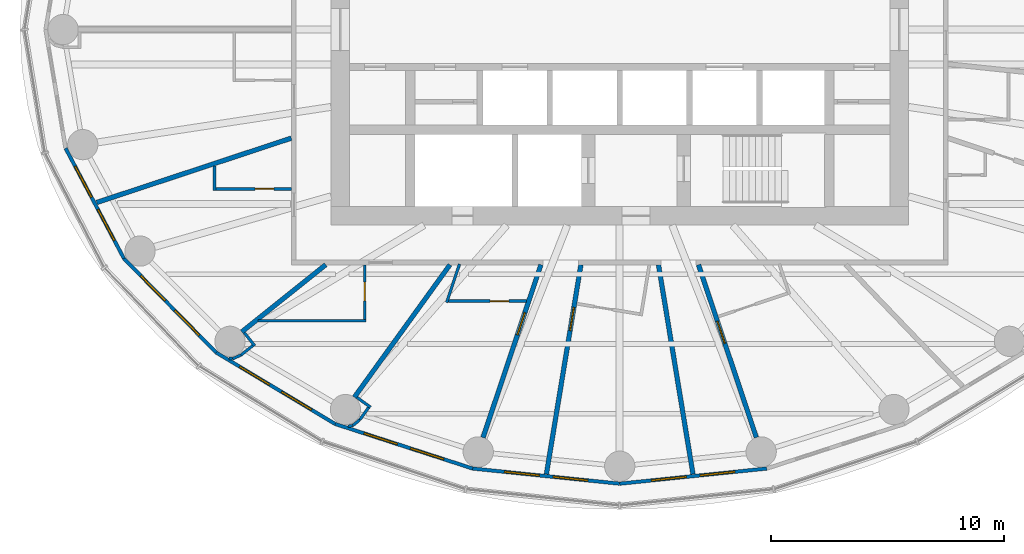
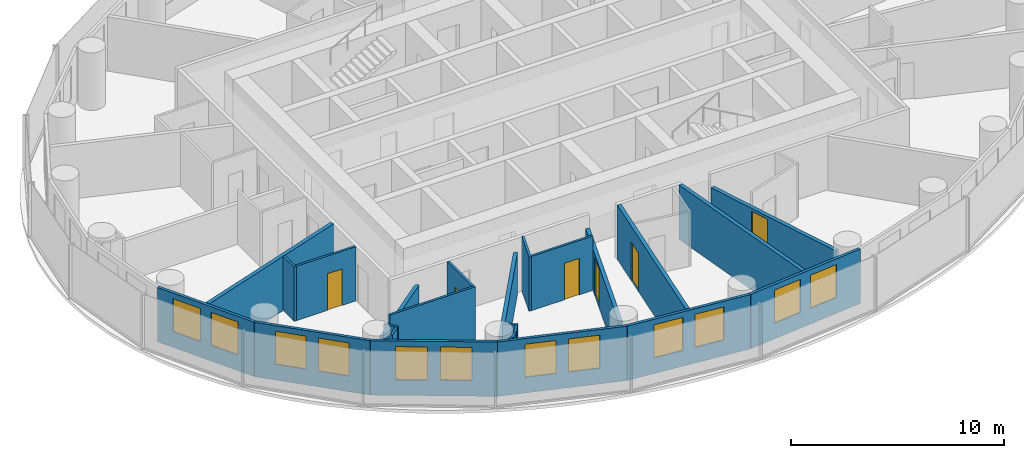
# One storey, part 6 of 13: 27 walls, 12 windows, 6 doors, 18 openings.
"""IFC4 building model written with IfcOpenShell, lengths in metres."""

from ifc_helpers import new_model, si_unit, direction, frame, frame_2d, origin, place, context, subcontext, project, spatial, rectangle, extrude, material, layer, layer_set, type_object, element, fill, save


model = new_model("IFC4")

# Units and contexts
model_context = context("Model", 3, precision=1e-05, world=origin(), true_north=direction((0.0, 1.0)))
body_context = subcontext(model_context, "Body", "Model", "MODEL_VIEW")
ifc_project = project(units=[si_unit("LENGTHUNIT", "METRE"), si_unit("AREAUNIT", "SQUARE_METRE"), si_unit("VOLUMEUNIT", "CUBIC_METRE"), si_unit("PLANEANGLEUNIT", "RADIAN"), si_unit("MASSUNIT", "GRAM", prefix="KILO")], contexts=[model_context])

# Site, building, storey
site_placement = place(None, origin())
site = spatial("IfcSite", under=ifc_project, at=site_placement, CompositionType="ELEMENT")
building_placement = place(site_placement, origin())
building = spatial("IfcBuilding", under=site, at=building_placement, Name="Hankou Lantern Tower", CompositionType="ELEMENT")
storey_placement = place(building_placement, frame((0.0, 0.0, 125.39990234375)))
storey = spatial("IfcBuildingStorey", under=building, at=storey_placement, Name="L32", CompositionType="ELEMENT", Elevation=125.39990234375)

# Wall, openings, windows
ifc_material_1 = material(Name="Aluminium spandrel panel on steel studs", Category="steel")
ifc_layer_1 = layer(ifc_material_1, 0.14990234375)
ifc_layer_set_1 = layer_set([ifc_layer_1], Name="Aluminium spandrel panel on steel studs")
wall_type_1 = type_object("IfcWallType", Name="EW1 INNER SKIN WALL 150", PredefinedType="ELEMENTEDWALL", material=ifc_layer_set_1)
wall_1_placement = place(storey_placement, frame((-23.7919921875, -5.10009765625, 0.0), z_axis=(0.0, 0.0, 1.0), x_axis=(0.467814388454, -0.883826735257, 0.0)))
wall_1 = element("IfcWall", 1, at=wall_1_placement, inside=storey, type_object=wall_type_1, Name="Inner skin R14-R15 L32", PredefinedType="ELEMENTEDWALL", context=body_context, shape_type="SweptSolid", body=[
    extrude(rectangle(XDim=5.35400390625, YDim=0.14990234375, at=frame_2d((2.677001953125, 0.0))), origin(), (0.0, 0.0, 1.0), 3.1201171875),
])
opening_1_placement = place(wall_1_placement, frame((0.876953125, 0.0, 0.89990234375)))
opening_1 = element("IfcOpeningElement", 2, at=opening_1_placement, cuts=wall_1, Name="Opening W2", PredefinedType="OPENING", context=body_context, shape_type="SweptSolid", body=[
    extrude(rectangle(XDim=1.5, YDim=1.89990234375, at=frame_2d((0.75, 0.949951171875))), frame((0.0, 0.0849609375, 0.0), z_axis=(0.0, -1.0, 0.0), x_axis=(1.0, 0.0, 0.0)), (0.0, 0.0, 1.0), 0.169921875),
])
opening_2_placement = place(wall_1_placement, frame((2.97705078125, 0.0, 0.89990234375)))
opening_2 = element("IfcOpeningElement", 3, at=opening_2_placement, cuts=wall_1, Name="Opening W2", PredefinedType="OPENING", context=body_context, shape_type="SweptSolid", body=[
    extrude(rectangle(XDim=1.5, YDim=1.89990234375, at=frame_2d((0.75, 0.949951171875))), frame((0.0, 0.0849609375, 0.0), z_axis=(0.0, -1.0, 0.0), x_axis=(1.0, 0.0, 0.0)), (0.0, 0.0, 1.0), 0.169921875),
])
ifc_material_2 = material(Name="Aluminium framed double glazed window", Category="aluminium")
window_type = type_object("IfcWindowType", Name="W2 GUEST ROOM WINDOW 1500X1900", PartitioningType="DOUBLE_PANEL_VERTICAL", PredefinedType="WINDOW", material=ifc_material_2)
window_1_placement = place(opening_1_placement, origin())
window_1 = element("IfcWindow", 4, at=window_1_placement, inside=storey, type_object=window_type, Name="Window R14.1 L32", OverallHeight=1.89990234375, OverallWidth=1.5, PartitioningType="SINGLE_PANEL", PredefinedType="WINDOW", context=body_context, shape_type="SweptSolid", body=[
    extrude(rectangle(XDim=1.5, YDim=1.89990234375, at=frame_2d((0.75, 0.949951171875))), frame((0.0, 0.030029296875, 0.0), z_axis=(0.0, -1.0, 0.0), x_axis=(1.0, 0.0, 0.0)), (0.0, 0.0, 1.0), 0.06005859375),
])
fill(opening_1, window_1)
window_2_placement = place(opening_2_placement, origin())
window_2 = element("IfcWindow", 5, at=window_2_placement, inside=storey, type_object=window_type, Name="Window R14.2 L32", OverallHeight=1.89990234375, OverallWidth=1.5, PartitioningType="SINGLE_PANEL", PredefinedType="WINDOW", context=body_context, shape_type="SweptSolid", body=[
    extrude(rectangle(XDim=1.5, YDim=1.89990234375, at=frame_2d((0.75, 0.949951171875))), frame((0.0, 0.030029296875, 0.0), z_axis=(0.0, -1.0, 0.0), x_axis=(1.0, 0.0, 0.0)), (0.0, 0.0, 1.0), 0.06005859375),
])
fill(opening_2, window_2)

wall_2_placement = place(storey_placement, frame((-21.287353515625, -9.83203125, 0.0), z_axis=(0.0, 0.0, 1.0), x_axis=(0.700136650834, -0.714008872605, 0.0)))
wall_2 = element("IfcWall", 6, at=wall_2_placement, inside=storey, type_object=wall_type_1, Name="Inner skin R15-R16 L32", PredefinedType="ELEMENTEDWALL", context=body_context, shape_type="SweptSolid", body=[
    extrude(rectangle(XDim=5.6494140625, YDim=0.14990234375, at=frame_2d((2.82470703125, 0.0))), origin(), (0.0, 0.0, 1.0), 3.1201171875),
])
opening_3_placement = place(wall_2_placement, frame((1.024658203125, 0.0, 0.89990234375)))
opening_3 = element("IfcOpeningElement", 7, at=opening_3_placement, cuts=wall_2, Name="Opening W2", PredefinedType="OPENING", context=body_context, shape_type="SweptSolid", body=[
    extrude(rectangle(XDim=1.5, YDim=1.89990234375, at=frame_2d((0.75, 0.949951171875))), frame((0.0, 0.0849609375, 0.0), z_axis=(0.0, -1.0, 0.0), x_axis=(1.0, 0.0, 0.0)), (0.0, 0.0, 1.0), 0.169921875),
])
opening_4_placement = place(wall_2_placement, frame((3.12451171875, 0.0, 0.89990234375)))
opening_4 = element("IfcOpeningElement", 8, at=opening_4_placement, cuts=wall_2, Name="Opening W2", PredefinedType="OPENING", context=body_context, shape_type="SweptSolid", body=[
    extrude(rectangle(XDim=1.5, YDim=1.89990234375, at=frame_2d((0.75, 0.949951171875))), frame((0.0, 0.0849609375, 0.0), z_axis=(0.0, -1.0, 0.0), x_axis=(1.0, 0.0, 0.0)), (0.0, 0.0, 1.0), 0.169921875),
])
window_3_placement = place(opening_3_placement, origin())
window_3 = element("IfcWindow", 9, at=window_3_placement, inside=storey, type_object=window_type, Name="Window R15.1 L32", OverallHeight=1.89990234375, OverallWidth=1.5, PartitioningType="SINGLE_PANEL", PredefinedType="WINDOW", context=body_context, shape_type="SweptSolid", body=[
    extrude(rectangle(XDim=1.5, YDim=1.89990234375, at=frame_2d((0.75, 0.949951171875))), frame((0.0, 0.030029296875, 0.0), z_axis=(0.0, -1.0, 0.0), x_axis=(1.0, 0.0, 0.0)), (0.0, 0.0, 1.0), 0.06005859375),
])
fill(opening_3, window_3)
window_4_placement = place(opening_4_placement, origin())
window_4 = element("IfcWindow", 10, at=window_4_placement, inside=storey, type_object=window_type, Name="Window R15.2 L32", OverallHeight=1.89990234375, OverallWidth=1.5, PartitioningType="SINGLE_PANEL", PredefinedType="WINDOW", context=body_context, shape_type="SweptSolid", body=[
    extrude(rectangle(XDim=1.5, YDim=1.89990234375, at=frame_2d((0.75, 0.949951171875))), frame((0.0, 0.030029296875, 0.0), z_axis=(0.0, -1.0, 0.0), x_axis=(1.0, 0.0, 0.0)), (0.0, 0.0, 1.0), 0.06005859375),
])
fill(opening_4, window_4)

wall_3_placement = place(storey_placement, frame((-17.33203125, -13.86572265625, 0.0), z_axis=(0.0, 0.0, 1.0), x_axis=(0.857308573723, -0.514802884044, 0.0)))
wall_3 = element("IfcWall", 11, at=wall_3_placement, inside=storey, type_object=wall_type_1, Name="Inner skin R16-R17 L32", PredefinedType="ELEMENTEDWALL", context=body_context, shape_type="SweptSolid", body=[
    extrude(rectangle(XDim=5.961181640625, YDim=0.14990234375, at=frame_2d((2.98046875, 0.0))), origin(), (0.0, 0.0, 1.0), 3.1201171875),
])
opening_5_placement = place(wall_3_placement, frame((1.1806640625, 0.0, 0.89990234375)))
opening_5 = element("IfcOpeningElement", 12, at=opening_5_placement, cuts=wall_3, Name="Opening W2", PredefinedType="OPENING", context=body_context, shape_type="SweptSolid", body=[
    extrude(rectangle(XDim=1.5, YDim=1.89990234375, at=frame_2d((0.75, 0.949951171875))), frame((0.0, 0.0849609375, 0.0), z_axis=(0.0, -1.0, 0.0), x_axis=(1.0, 0.0, 0.0)), (0.0, 0.0, 1.0), 0.169921875),
])
opening_6_placement = place(wall_3_placement, frame((3.280517578125, 0.0, 0.89990234375)))
opening_6 = element("IfcOpeningElement", 13, at=opening_6_placement, cuts=wall_3, Name="Opening W2", PredefinedType="OPENING", context=body_context, shape_type="SweptSolid", body=[
    extrude(rectangle(XDim=1.5, YDim=1.89990234375, at=frame_2d((0.75, 0.949951171875))), frame((0.0, 0.0849609375, 0.0), z_axis=(0.0, -1.0, 0.0), x_axis=(1.0, 0.0, 0.0)), (0.0, 0.0, 1.0), 0.169921875),
])
window_5_placement = place(opening_5_placement, origin())
window_5 = element("IfcWindow", 14, at=window_5_placement, inside=storey, type_object=window_type, Name="Window R16.1 L32", OverallHeight=1.89990234375, OverallWidth=1.5, PartitioningType="SINGLE_PANEL", PredefinedType="WINDOW", context=body_context, shape_type="SweptSolid", body=[
    extrude(rectangle(XDim=1.5, YDim=1.89990234375, at=frame_2d((0.75, 0.949951171875))), frame((0.0, 0.030029296875, 0.0), z_axis=(0.0, -1.0, 0.0), x_axis=(1.0, 0.0, 0.0)), (0.0, 0.0, 1.0), 0.06005859375),
])
fill(opening_5, window_5)
window_6_placement = place(opening_6_placement, origin())
window_6 = element("IfcWindow", 15, at=window_6_placement, inside=storey, type_object=window_type, Name="Window R16.2 L32", OverallHeight=1.89990234375, OverallWidth=1.5, PartitioningType="SINGLE_PANEL", PredefinedType="WINDOW", context=body_context, shape_type="SweptSolid", body=[
    extrude(rectangle(XDim=1.5, YDim=1.89990234375, at=frame_2d((0.75, 0.949951171875))), frame((0.0, 0.030029296875, 0.0), z_axis=(0.0, -1.0, 0.0), x_axis=(1.0, 0.0, 0.0)), (0.0, 0.0, 1.0), 0.06005859375),
])
fill(opening_6, window_6)

wall_4_placement = place(storey_placement, frame((-12.221435546875, -16.9345703125, 0.0), z_axis=(0.0, 0.0, 1.0), x_axis=(0.951272691506, -0.308350881944, 0.0)))
wall_4 = element("IfcWall", 16, at=wall_4_placement, inside=storey, type_object=wall_type_1, Name="Inner skin R17-R18 L32", PredefinedType="ELEMENTEDWALL", context=body_context, shape_type="SweptSolid", body=[
    extrude(rectangle(XDim=6.210693359375, YDim=0.14990234375, at=frame_2d((3.10546875, 0.0))), origin(), (0.0, 0.0, 1.0), 3.1201171875),
])
opening_7_placement = place(wall_4_placement, frame((1.305419921875, 0.0, 0.89990234375)))
opening_7 = element("IfcOpeningElement", 17, at=opening_7_placement, cuts=wall_4, Name="Opening W2", PredefinedType="OPENING", context=body_context, shape_type="SweptSolid", body=[
    extrude(rectangle(XDim=1.5, YDim=1.89990234375, at=frame_2d((0.75, 0.949951171875))), frame((0.0, 0.0849609375, 0.0), z_axis=(0.0, -1.0, 0.0), x_axis=(1.0, 0.0, 0.0)), (0.0, 0.0, 1.0), 0.169921875),
])
opening_8_placement = place(wall_4_placement, frame((3.4052734375, 0.0, 0.89990234375)))
opening_8 = element("IfcOpeningElement", 18, at=opening_8_placement, cuts=wall_4, Name="Opening W2", PredefinedType="OPENING", context=body_context, shape_type="SweptSolid", body=[
    extrude(rectangle(XDim=1.5, YDim=1.89990234375, at=frame_2d((0.75, 0.949951171875))), frame((0.0, 0.0849609375, 0.0), z_axis=(0.0, -1.0, 0.0), x_axis=(1.0, 0.0, 0.0)), (0.0, 0.0, 1.0), 0.169921875),
])
window_7_placement = place(opening_7_placement, origin())
window_7 = element("IfcWindow", 19, at=window_7_placement, inside=storey, type_object=window_type, Name="Window R17.1 L32", OverallHeight=1.89990234375, OverallWidth=1.5, PartitioningType="SINGLE_PANEL", PredefinedType="WINDOW", context=body_context, shape_type="SweptSolid", body=[
    extrude(rectangle(XDim=1.5, YDim=1.89990234375, at=frame_2d((0.75, 0.949951171875))), frame((0.0, 0.030029296875, 0.0), z_axis=(0.0, -1.0, 0.0), x_axis=(1.0, 0.0, 0.0)), (0.0, 0.0, 1.0), 0.06005859375),
])
fill(opening_7, window_7)
window_8_placement = place(opening_8_placement, origin())
window_8 = element("IfcWindow", 20, at=window_8_placement, inside=storey, type_object=window_type, Name="Window R17.2 L32", OverallHeight=1.89990234375, OverallWidth=1.5, PartitioningType="SINGLE_PANEL", PredefinedType="WINDOW", context=body_context, shape_type="SweptSolid", body=[
    extrude(rectangle(XDim=1.5, YDim=1.89990234375, at=frame_2d((0.75, 0.949951171875))), frame((0.0, 0.030029296875, 0.0), z_axis=(0.0, -1.0, 0.0), x_axis=(1.0, 0.0, 0.0)), (0.0, 0.0, 1.0), 0.06005859375),
])
fill(opening_8, window_8)

wall_5_placement = place(storey_placement, frame((-6.3134765625, -18.849609375, 0.0), z_axis=(0.0, 0.0, 1.0), x_axis=(0.994735690163, -0.102473931887, 0.0)))
wall_5 = element("IfcWall", 21, at=wall_5_placement, inside=storey, type_object=wall_type_1, Name="Inner skin R18-R19 L32", PredefinedType="ELEMENTEDWALL", context=body_context, shape_type="SweptSolid", body=[
    extrude(rectangle(XDim=6.346923828125, YDim=0.14990234375, at=frame_2d((3.17333984375, 0.0))), origin(), (0.0, 0.0, 1.0), 3.1201171875),
])
opening_9_placement = place(wall_5_placement, frame((1.373291015625, 0.0, 0.89990234375)))
opening_9 = element("IfcOpeningElement", 22, at=opening_9_placement, cuts=wall_5, Name="Opening W2", PredefinedType="OPENING", context=body_context, shape_type="SweptSolid", body=[
    extrude(rectangle(XDim=1.5, YDim=1.89990234375, at=frame_2d((0.75, 0.949951171875))), frame((0.0, 0.0849609375, 0.0), z_axis=(0.0, -1.0, 0.0), x_axis=(1.0, 0.0, 0.0)), (0.0, 0.0, 1.0), 0.169921875),
])
opening_10_placement = place(wall_5_placement, frame((3.473388671875, 0.0, 0.89990234375)))
opening_10 = element("IfcOpeningElement", 23, at=opening_10_placement, cuts=wall_5, Name="Opening W2", PredefinedType="OPENING", context=body_context, shape_type="SweptSolid", body=[
    extrude(rectangle(XDim=1.5, YDim=1.89990234375, at=frame_2d((0.75, 0.949951171875))), frame((0.0, 0.0849609375, 0.0), z_axis=(0.0, -1.0, 0.0), x_axis=(1.0, 0.0, 0.0)), (0.0, 0.0, 1.0), 0.169921875),
])
window_9_placement = place(opening_9_placement, origin())
window_9 = element("IfcWindow", 24, at=window_9_placement, inside=storey, type_object=window_type, Name="Window R18.1 L32", OverallHeight=1.89990234375, OverallWidth=1.5, PartitioningType="SINGLE_PANEL", PredefinedType="WINDOW", context=body_context, shape_type="SweptSolid", body=[
    extrude(rectangle(XDim=1.5, YDim=1.89990234375, at=frame_2d((0.75, 0.949951171875))), frame((0.0, 0.030029296875, 0.0), z_axis=(0.0, -1.0, 0.0), x_axis=(1.0, 0.0, 0.0)), (0.0, 0.0, 1.0), 0.06005859375),
])
fill(opening_9, window_9)
window_10_placement = place(opening_10_placement, origin())
window_10 = element("IfcWindow", 25, at=window_10_placement, inside=storey, type_object=window_type, Name="Window R18.2 L32", OverallHeight=1.89990234375, OverallWidth=1.5, PartitioningType="SINGLE_PANEL", PredefinedType="WINDOW", context=body_context, shape_type="SweptSolid", body=[
    extrude(rectangle(XDim=1.5, YDim=1.89990234375, at=frame_2d((0.75, 0.949951171875))), frame((0.0, 0.030029296875, 0.0), z_axis=(0.0, -1.0, 0.0), x_axis=(1.0, 0.0, 0.0)), (0.0, 0.0, 1.0), 0.06005859375),
])
fill(opening_10, window_10)

wall_6_placement = place(storey_placement, frame((0.0, -19.5, 0.0), z_axis=(0.0, 0.0, 1.0), x_axis=(0.994735690163, 0.102473931887, 0.0)))
wall_6 = element("IfcWall", 26, at=wall_6_placement, inside=storey, type_object=wall_type_1, Name="Inner skin R19-R20 L32", PredefinedType="ELEMENTEDWALL", context=body_context, shape_type="SweptSolid", body=[
    extrude(rectangle(XDim=6.346923828125, YDim=0.14990234375, at=frame_2d((3.17333984375, 0.0))), origin(), (0.0, 0.0, 1.0), 3.1201171875),
])
opening_11_placement = place(wall_6_placement, frame((1.373291015625, 0.0, 0.89990234375)))
opening_11 = element("IfcOpeningElement", 27, at=opening_11_placement, cuts=wall_6, Name="Opening W2", PredefinedType="OPENING", context=body_context, shape_type="SweptSolid", body=[
    extrude(rectangle(XDim=1.5, YDim=1.89990234375, at=frame_2d((0.75, 0.949951171875))), frame((0.0, 0.0849609375, 0.0), z_axis=(0.0, -1.0, 0.0), x_axis=(1.0, 0.0, 0.0)), (0.0, 0.0, 1.0), 0.169921875),
])
opening_12_placement = place(wall_6_placement, frame((3.473388671875, 0.0, 0.89990234375)))
opening_12 = element("IfcOpeningElement", 28, at=opening_12_placement, cuts=wall_6, Name="Opening W2", PredefinedType="OPENING", context=body_context, shape_type="SweptSolid", body=[
    extrude(rectangle(XDim=1.5, YDim=1.89990234375, at=frame_2d((0.75, 0.949951171875))), frame((0.0, 0.0849609375, 0.0), z_axis=(0.0, -1.0, 0.0), x_axis=(1.0, 0.0, 0.0)), (0.0, 0.0, 1.0), 0.169921875),
])
window_11_placement = place(opening_11_placement, origin())
window_11 = element("IfcWindow", 29, at=window_11_placement, inside=storey, type_object=window_type, Name="Window R19.1 L32", OverallHeight=1.89990234375, OverallWidth=1.5, PartitioningType="SINGLE_PANEL", PredefinedType="WINDOW", context=body_context, shape_type="SweptSolid", body=[
    extrude(rectangle(XDim=1.5, YDim=1.89990234375, at=frame_2d((0.75, 0.949951171875))), frame((0.0, 0.030029296875, 0.0), z_axis=(0.0, -1.0, 0.0), x_axis=(1.0, 0.0, 0.0)), (0.0, 0.0, 1.0), 0.06005859375),
])
fill(opening_11, window_11)
window_12_placement = place(opening_12_placement, origin())
window_12 = element("IfcWindow", 30, at=window_12_placement, inside=storey, type_object=window_type, Name="Window R19.2 L32", OverallHeight=1.89990234375, OverallWidth=1.5, PartitioningType="SINGLE_PANEL", PredefinedType="WINDOW", context=body_context, shape_type="SweptSolid", body=[
    extrude(rectangle(XDim=1.5, YDim=1.89990234375, at=frame_2d((0.75, 0.949951171875))), frame((0.0, 0.030029296875, 0.0), z_axis=(0.0, -1.0, 0.0), x_axis=(1.0, 0.0, 0.0)), (0.0, 0.0, 1.0), 0.06005859375),
])
fill(opening_12, window_12)

# Walls
ifc_material_3 = material(Name="Masonry lightweight concrete block", Category="masonry")
ifc_layer_2 = layer(ifc_material_3, 0.199951171875)
ifc_layer_set_2 = layer_set([ifc_layer_2], Name="Masonry lightweight concrete block")
wall_type_2 = type_object("IfcWallType", Name="IW1 GUEST ROOM PARTY WALL 200", PredefinedType="PARTITIONING", material=ifc_layer_set_2)
wall_7_placement = place(storey_placement, frame((-14.10009765625, -4.662353515625, 0.0), z_axis=(0.0, 0.0, 1.0), x_axis=(-0.949446466373, -0.313928984789, 0.0)))
element("IfcWall", 31, at=wall_7_placement, inside=storey, type_object=wall_type_2, Name="Party wall R14-R15", PredefinedType="PARTITIONING", context=body_context, shape_type="SweptSolid", body=[
    extrude(rectangle(XDim=8.79736328125, YDim=0.199951171875, at=frame_2d((4.398681640625, 0.0))), origin(), (0.0, 0.0, 1.0), 3.1201171875),
])
wall_8_placement = place(storey_placement, frame((-12.625, -10.10009765625, 0.0), z_axis=(0.0, 0.0, 1.0), x_axis=(-0.780863644897, -0.624701503182, 0.0)))
element("IfcWall", 32, at=wall_8_placement, inside=storey, type_object=wall_type_2, Name="Party wall R16", PredefinedType="PARTITIONING", context=body_context, shape_type="SweptSolid", body=[
    extrude(rectangle(XDim=4.612060546875, YDim=0.199951171875, at=frame_2d((2.30615234375, 0.0))), origin(), (0.0, 0.0, 1.0), 2.3701171875),
])
wall_9_placement = place(storey_placement, frame((-7.2890625, -10.10009765625, 0.0), z_axis=(0.0, 0.0, 1.0), x_axis=(-0.585217367024, -0.81087645997, 0.0)))
element("IfcWall", 33, at=wall_9_placement, inside=storey, type_object=wall_type_2, Name="Party wall R17", PredefinedType="PARTITIONING", context=body_context, shape_type="SweptSolid", body=[
    extrude(rectangle(XDim=7.01611328125, YDim=0.199951171875, at=frame_2d((3.508056640625, 0.0))), origin(), (0.0, 0.0, 1.0), 2.3701171875),
])

# Wall, opening, door
ifc_material_4 = material(Name="Masonry lightweight concrete block", Category="masonry")
ifc_layer_3 = layer(ifc_material_4, 0.199951171875)
ifc_layer_set_3 = layer_set([ifc_layer_3], Name="Masonry lightweight concrete block")
wall_type_3 = type_object("IfcWallType", Name="IW2 CORRIDOR WALL 200", PredefinedType="PARTITIONING", material=ifc_layer_set_3)
wall_10_placement = place(storey_placement, frame((-3.3828125, -10.10009765625, 0.0), z_axis=(0.0, 0.0, 1.0), x_axis=(-0.317603705574, -0.948223542318, 0.0)))
wall_10 = element("IfcWall", 34, at=wall_10_placement, inside=storey, type_object=wall_type_3, Name="Corridor spur wall R18", PredefinedType="PARTITIONING", context=body_context, shape_type="SweptSolid", body=[
    extrude(rectangle(XDim=7.822998046875, YDim=0.199951171875, at=frame_2d((3.91162109375, 0.0))), origin(), (0.0, 0.0, 1.0), 2.3701171875),
])
opening_13_placement = place(wall_10_placement, frame((2.168212890625, 0.0, 0.0)))
opening_13 = element("IfcOpeningElement", 35, at=opening_13_placement, cuts=wall_10, Name="Opening D1", PredefinedType="OPENING", context=body_context, shape_type="SweptSolid", body=[
    extrude(rectangle(XDim=1.0, YDim=2.199951171875, at=frame_2d((0.5, 1.10009765625))), frame((0.0, 0.10986328125, 0.0), z_axis=(0.0, -1.0, 0.0), x_axis=(1.0, 0.0, 0.0)), (0.0, 0.0, 1.0), 0.219970703125),
])
ifc_material_5 = material(Name="Steel door leaf", Category="steel")
door_type_1 = type_object("IfcDoorType", Name="D1 GUEST ROOM DOOR 1000X2200", OperationType="SINGLE_SWING_LEFT", PredefinedType="DOOR", material=ifc_material_5)
door_1_placement = place(opening_13_placement, origin())
door_1 = element("IfcDoor", 36, at=door_1_placement, inside=storey, type_object=door_type_1, Name="Guest room door 3210", OperationType="SINGLE_SWING_LEFT", OverallHeight=2.199951171875, OverallWidth=1.0, PredefinedType="DOOR", context=body_context, shape_type="SweptSolid", body=[
    extrude(rectangle(XDim=1.0, YDim=2.199951171875, at=frame_2d((0.5, 1.10009765625))), frame((0.0, 0.02490234375, 0.0), z_axis=(0.0, -1.0, 0.0), x_axis=(1.0, 0.0, 0.0)), (0.0, 0.0, 1.0), 0.050048828125),
])
fill(opening_13, door_1)

wall_11_placement = place(storey_placement, frame((-1.665283203125, -10.10009765625, 0.0), z_axis=(0.0, 0.0, 1.0), x_axis=(-0.162660519103, -0.986682094459, 0.0)))
wall_11 = element("IfcWall", 37, at=wall_11_placement, inside=storey, type_object=wall_type_3, Name="Corridor spur wall R18-R19", PredefinedType="PARTITIONING", context=body_context, shape_type="SweptSolid", body=[
    extrude(rectangle(XDim=9.110595703125, YDim=0.199951171875, at=frame_2d((4.55517578125, 0.0))), origin(), (0.0, 0.0, 1.0), 3.1201171875),
])
opening_14_placement = place(wall_11_placement, frame((1.860107421875, 0.0, 0.0)))
opening_14 = element("IfcOpeningElement", 38, at=opening_14_placement, cuts=wall_11, Name="Opening D1", PredefinedType="OPENING", context=body_context, shape_type="SweptSolid", body=[
    extrude(rectangle(XDim=1.0, YDim=2.199951171875, at=frame_2d((0.5, 1.10009765625))), frame((0.0, 0.10986328125, 0.0), z_axis=(0.0, -1.0, 0.0), x_axis=(1.0, 0.0, 0.0)), (0.0, 0.0, 1.0), 0.219970703125),
])
door_2_placement = place(opening_14_placement, origin())
door_2 = element("IfcDoor", 39, at=door_2_placement, inside=storey, type_object=door_type_1, Name="Guest room door 3212", OperationType="SINGLE_SWING_LEFT", OverallHeight=2.199951171875, OverallWidth=1.0, PredefinedType="DOOR", context=body_context, shape_type="SweptSolid", body=[
    extrude(rectangle(XDim=1.0, YDim=2.199951171875, at=frame_2d((0.5, 1.10009765625))), frame((0.0, 0.02490234375, 0.0), z_axis=(0.0, -1.0, 0.0), x_axis=(1.0, 0.0, 0.0)), (0.0, 0.0, 1.0), 0.050048828125),
])
fill(opening_14, door_2)

# Wall
wall_12_placement = place(storey_placement, frame((1.665283203125, -10.10009765625, 0.0), z_axis=(0.0, 0.0, 1.0), x_axis=(0.162660519103, -0.986682094459, 0.0)))
element("IfcWall", 40, at=wall_12_placement, inside=storey, type_object=wall_type_3, Name="Corridor spur wall R19-R20", PredefinedType="PARTITIONING", context=body_context, shape_type="SweptSolid", body=[
    extrude(rectangle(XDim=9.110595703125, YDim=0.199951171875, at=frame_2d((4.55517578125, 0.0))), origin(), (0.0, 0.0, 1.0), 3.1201171875),
])

# Wall, opening, door
wall_13_placement = place(storey_placement, frame((3.3828125, -10.10009765625, 0.0), z_axis=(0.0, 0.0, 1.0), x_axis=(0.317603705574, -0.948223542318, 0.0)))
wall_13 = element("IfcWall", 41, at=wall_13_placement, inside=storey, type_object=wall_type_3, Name="Corridor spur wall R20", PredefinedType="PARTITIONING", context=body_context, shape_type="SweptSolid", body=[
    extrude(rectangle(XDim=7.822998046875, YDim=0.199951171875, at=frame_2d((3.91162109375, 0.0))), origin(), (0.0, 0.0, 1.0), 2.3701171875),
])
opening_15_placement = place(wall_13_placement, frame((2.56005859375, 0.0, 0.0)))
opening_15 = element("IfcOpeningElement", 42, at=opening_15_placement, cuts=wall_13, Name="Opening D1", PredefinedType="OPENING", context=body_context, shape_type="SweptSolid", body=[
    extrude(rectangle(XDim=1.0, YDim=2.199951171875, at=frame_2d((0.5, 1.10009765625))), frame((0.0, 0.10986328125, 0.0), z_axis=(0.0, -1.0, 0.0), x_axis=(1.0, 0.0, 0.0)), (0.0, 0.0, 1.0), 0.219970703125),
])
door_3_placement = place(opening_15_placement, origin())
door_3 = element("IfcDoor", 43, at=door_3_placement, inside=storey, type_object=door_type_1, Name="Guest room door 3214", OperationType="SINGLE_SWING_LEFT", OverallHeight=2.199951171875, OverallWidth=1.0, PredefinedType="DOOR", context=body_context, shape_type="SweptSolid", body=[
    extrude(rectangle(XDim=1.0, YDim=2.199951171875, at=frame_2d((0.5, 1.10009765625))), frame((0.0, 0.02490234375, 0.0), z_axis=(0.0, -1.0, 0.0), x_axis=(1.0, 0.0, 0.0)), (0.0, 0.0, 1.0), 0.050048828125),
])
fill(opening_15, door_3)

# Wall
ifc_material_6 = material(Name="Masonry lightweight concrete block", Category="masonry")
ifc_layer_4 = layer(ifc_material_6, 0.1201171875)
ifc_layer_set_4 = layer_set([ifc_layer_4], Name="Masonry lightweight concrete block")
wall_type_4 = type_object("IfcWallType", Name="IW3 BATHROOM WALL 120", PredefinedType="PARTITIONING", material=ifc_layer_set_4)
wall_14_placement = place(storey_placement, frame((-17.39990234375, -5.853515625, 0.0), z_axis=(0.0, 0.0, 1.0), x_axis=(0.0, -1.0, 0.0)))
element("IfcWall", 44, at=wall_14_placement, inside=storey, type_object=wall_type_4, Name="Box wall 3208 1", PredefinedType="PARTITIONING", context=body_context, shape_type="SweptSolid", body=[
    extrude(rectangle(XDim=1.048828125, YDim=0.1201171875, at=frame_2d((0.5244140625, 0.0))), origin(), (0.0, 0.0, 1.0), 3.1201171875),
])

# Wall, opening, door
wall_15_placement = place(storey_placement, frame((-14.10009765625, -6.84228515625, 0.0), z_axis=(0.0, 0.0, 1.0), x_axis=(-1.0, 0.0, 0.0)))
wall_15 = element("IfcWall", 45, at=wall_15_placement, inside=storey, type_object=wall_type_4, Name="Box wall 3208 1", PredefinedType="PARTITIONING", context=body_context, shape_type="SweptSolid", body=[
    extrude(rectangle(XDim=3.239990234375, YDim=0.1201171875, at=frame_2d((1.6201171875, 0.0))), origin(), (0.0, 0.0, 1.0), 3.1201171875),
])
opening_16_placement = place(wall_15_placement, frame((0.75, 0.0, 0.0)))
opening_16 = element("IfcOpeningElement", 46, at=opening_16_placement, cuts=wall_15, Name="Opening D3", PredefinedType="OPENING", context=body_context, shape_type="SweptSolid", body=[
    extrude(rectangle(XDim=0.800048828125, YDim=2.10009765625, at=frame_2d((0.39990234375, 1.050048828125))), frame((0.0, 0.070068359375, 0.0), z_axis=(0.0, -1.0, 0.0), x_axis=(1.0, 0.0, 0.0)), (0.0, 0.0, 1.0), 0.14013671875),
])
ifc_material_7 = material(Name="Timber door leaf", Category="wood")
door_type_2 = type_object("IfcDoorType", Name="D3 BATHROOM DOOR 800X2100", OperationType="SINGLE_SWING_LEFT", PredefinedType="DOOR", material=ifc_material_7)
door_4_placement = place(opening_16_placement, origin())
door_4 = element("IfcDoor", 47, at=door_4_placement, inside=storey, type_object=door_type_2, Name="En-suite bathroom 3208 door", OperationType="SINGLE_SWING_LEFT", OverallHeight=2.10009765625, OverallWidth=0.800048828125, PredefinedType="DOOR", context=body_context, shape_type="SweptSolid", body=[
    extrude(rectangle(XDim=0.800048828125, YDim=2.10009765625, at=frame_2d((0.39990234375, 1.050048828125))), frame((0.0, 0.02490234375, 0.0), z_axis=(0.0, -1.0, 0.0), x_axis=(1.0, 0.0, 0.0)), (0.0, 0.0, 1.0), 0.050048828125),
])
fill(opening_16, door_4)

# Wall
wall_16_placement = place(storey_placement, frame((-15.52490234375, -12.5, 0.0), z_axis=(0.0, 0.0, 1.0), x_axis=(1.0, 0.0, 0.0)))
element("IfcWall", 48, at=wall_16_placement, inside=storey, type_object=wall_type_4, Name="Box wall 3209 1", PredefinedType="PARTITIONING", context=body_context, shape_type="SweptSolid", body=[
    extrude(rectangle(XDim=4.639892578125, YDim=0.1201171875, at=frame_2d((2.31982421875, 0.0))), origin(), (0.0, 0.0, 1.0), 3.1201171875),
])

# Wall, opening, door
wall_17_placement = place(storey_placement, frame((-10.945068359375, -10.10009765625, 0.0), z_axis=(0.0, 0.0, 1.0), x_axis=(0.0, -1.0, 0.0)))
wall_17 = element("IfcWall", 49, at=wall_17_placement, inside=storey, type_object=wall_type_4, Name="Box wall 3209 1", PredefinedType="PARTITIONING", context=body_context, shape_type="SweptSolid", body=[
    extrude(rectangle(XDim=2.33984375, YDim=0.1201171875, at=frame_2d((1.169921875, 0.0))), origin(), (0.0, 0.0, 1.0), 3.1201171875),
])
opening_17_placement = place(wall_17_placement, frame((0.75, 0.0, 0.0)))
opening_17 = element("IfcOpeningElement", 50, at=opening_17_placement, cuts=wall_17, Name="Opening D3", PredefinedType="OPENING", context=body_context, shape_type="SweptSolid", body=[
    extrude(rectangle(XDim=0.800048828125, YDim=2.10009765625, at=frame_2d((0.39990234375, 1.050048828125))), frame((0.0, 0.070068359375, 0.0), z_axis=(0.0, -1.0, 0.0), x_axis=(1.0, 0.0, 0.0)), (0.0, 0.0, 1.0), 0.14013671875),
])
door_5_placement = place(opening_17_placement, origin())
door_5 = element("IfcDoor", 51, at=door_5_placement, inside=storey, type_object=door_type_2, Name="En-suite bathroom 3209 door", OperationType="SINGLE_SWING_LEFT", OverallHeight=2.10009765625, OverallWidth=0.800048828125, PredefinedType="DOOR", context=body_context, shape_type="SweptSolid", body=[
    extrude(rectangle(XDim=0.800048828125, YDim=2.10009765625, at=frame_2d((0.39990234375, 1.050048828125))), frame((0.0, 0.02490234375, 0.0), z_axis=(0.0, -1.0, 0.0), x_axis=(1.0, 0.0, 0.0)), (0.0, 0.0, 1.0), 0.050048828125),
])
fill(opening_17, door_5)

# Wall
wall_18_placement = place(storey_placement, frame((-6.877685546875, -10.068359375, 0.0), z_axis=(0.0, 0.0, 1.0), x_axis=(-0.317532394508, -0.948247424694, 0.0)))
element("IfcWall", 52, at=wall_18_placement, inside=storey, type_object=wall_type_4, Name="Box wall 3210 1", PredefinedType="PARTITIONING", context=body_context, shape_type="SweptSolid", body=[
    extrude(rectangle(XDim=1.739990234375, YDim=0.1201171875, at=frame_2d((0.8701171875, 0.0))), origin(), (0.0, 0.0, 1.0), 3.1201171875),
])

# Wall, opening, door
wall_19_placement = place(storey_placement, frame((-4.01123046875, -11.661376953125, 0.0), z_axis=(0.0, 0.0, 1.0), x_axis=(-1.0, 0.0, 0.0)))
wall_19 = element("IfcWall", 53, at=wall_19_placement, inside=storey, type_object=wall_type_4, Name="Box wall 3210 1", PredefinedType="PARTITIONING", context=body_context, shape_type="SweptSolid", body=[
    extrude(rectangle(XDim=3.340087890625, YDim=0.1201171875, at=frame_2d((1.669921875, 0.0))), origin(), (0.0, 0.0, 1.0), 3.1201171875),
])
opening_18_placement = place(wall_19_placement, frame((0.75, 0.0, 0.0)))
opening_18 = element("IfcOpeningElement", 54, at=opening_18_placement, cuts=wall_19, Name="Opening D3", PredefinedType="OPENING", context=body_context, shape_type="SweptSolid", body=[
    extrude(rectangle(XDim=0.800048828125, YDim=2.10009765625, at=frame_2d((0.39990234375, 1.050048828125))), frame((0.0, 0.070068359375, 0.0), z_axis=(0.0, -1.0, 0.0), x_axis=(1.0, 0.0, 0.0)), (0.0, 0.0, 1.0), 0.14013671875),
])
door_6_placement = place(opening_18_placement, origin())
door_6 = element("IfcDoor", 55, at=door_6_placement, inside=storey, type_object=door_type_2, Name="En-suite bathroom 3210 door", OperationType="SINGLE_SWING_LEFT", OverallHeight=2.10009765625, OverallWidth=0.800048828125, PredefinedType="DOOR", context=body_context, shape_type="SweptSolid", body=[
    extrude(rectangle(XDim=0.800048828125, YDim=2.10009765625, at=frame_2d((0.39990234375, 1.050048828125))), frame((0.0, 0.02490234375, 0.0), z_axis=(0.0, -1.0, 0.0), x_axis=(1.0, 0.0, 0.0)), (0.0, 0.0, 1.0), 0.050048828125),
])
fill(opening_18, door_6)

# Walls
ifc_material_8 = material(Name="Masonry lightweight concrete block", Category="masonry")
ifc_layer_5 = layer(ifc_material_8, 0.1201171875)
ifc_layer_set_5 = layer_set([ifc_layer_5], Name="Masonry lightweight concrete block")
wall_type_5 = type_object("IfcWallType", Name="IW4 PARTITION 120", PredefinedType="PARTITIONING", material=ifc_layer_set_5)
wall_20_placement = place(storey_placement, frame((-16.116943359375, -13.021728515625, 0.0), z_axis=(0.0, 0.0, 1.0), x_axis=(0.62465344249, -0.780902091677, 0.0)))
element("IfcWall", 56, at=wall_20_placement, inside=storey, type_object=wall_type_5, Name="Column casing R16 return", PredefinedType="PARTITIONING", context=body_context, shape_type="SweptSolid", body=[
    extrude(rectangle(XDim=0.715576171875, YDim=0.1201171875, at=frame_2d((0.35791015625, 0.0))), origin(), (0.0, 0.0, 1.0), 3.1201171875),
])
wall_21_placement = place(storey_placement, frame((-15.754150390625, -13.5712890625, 0.0), z_axis=(0.0, 0.0, 1.0), x_axis=(-0.780905453553, -0.624649239663, 0.0)))
element("IfcWall", 57, at=wall_21_placement, inside=storey, type_object=wall_type_5, Name="Column casing R16", PredefinedType="PARTITIONING", context=body_context, shape_type="SweptSolid", body=[
    extrude(rectangle(XDim=0.64990234375, YDim=0.1201171875, at=frame_2d((0.324951171875, 0.0))), origin(), (0.0, 0.0, 1.0), 3.1201171875),
])
wall_22_placement = place(storey_placement, frame((-16.26171875, -13.977294921875, 0.0), z_axis=(0.0, 0.0, 1.0), x_axis=(-0.915985403703, -0.401211590314, 0.0)))
element("IfcWall", 58, at=wall_22_placement, inside=storey, type_object=wall_type_5, Name="Column casing R16", PredefinedType="PARTITIONING", context=body_context, shape_type="SweptSolid", body=[
    extrude(rectangle(XDim=0.391357421875, YDim=0.1201171875, at=frame_2d((0.19580078125, 0.0))), origin(), (0.0, 0.0, 1.0), 3.1201171875),
])
wall_23_placement = place(storey_placement, frame((-16.6201171875, -14.13427734375, 0.0), z_axis=(0.0, 0.0, 1.0), x_axis=(-0.993941871493, 0.109907033867, 0.0)))
element("IfcWall", 59, at=wall_23_placement, inside=storey, type_object=wall_type_5, Name="Column casing R16", PredefinedType="PARTITIONING", context=body_context, shape_type="SweptSolid", body=[
    extrude(rectangle(XDim=0.1533203125, YDim=0.1201171875, at=frame_2d((0.07666015625, 0.0))), origin(), (0.0, 0.0, 1.0), 3.1201171875),
])
wall_24_placement = place(storey_placement, frame((-11.27880859375, -15.799072265625, 0.0), z_axis=(0.0, 0.0, 1.0), x_axis=(0.810912957127, -0.585166793285, 0.0)))
element("IfcWall", 60, at=wall_24_placement, inside=storey, type_object=wall_type_5, Name="Column casing R17 return", PredefinedType="PARTITIONING", context=body_context, shape_type="SweptSolid", body=[
    extrude(rectangle(XDim=0.7158203125, YDim=0.1201171875, at=frame_2d((0.35791015625, 0.0))), origin(), (0.0, 0.0, 1.0), 3.1201171875),
])
wall_25_placement = place(storey_placement, frame((-10.781982421875, -16.2314453125, 0.0), z_axis=(0.0, 0.0, 1.0), x_axis=(-0.585175102182, -0.810906961239, 0.0)))
element("IfcWall", 61, at=wall_25_placement, inside=storey, type_object=wall_type_5, Name="Column casing R17", PredefinedType="PARTITIONING", context=body_context, shape_type="SweptSolid", body=[
    extrude(rectangle(XDim=0.64990234375, YDim=0.1201171875, at=frame_2d((0.324951171875, 0.0))), origin(), (0.0, 0.0, 1.0), 3.1201171875),
])
wall_26_placement = place(storey_placement, frame((-11.162353515625, -16.758544921875, 0.0), z_axis=(0.0, 0.0, 1.0), x_axis=(-0.775178428527, -0.63174235567, 0.0)))
element("IfcWall", 62, at=wall_26_placement, inside=storey, type_object=wall_type_5, Name="Column casing R17", PredefinedType="PARTITIONING", context=body_context, shape_type="SweptSolid", body=[
    extrude(rectangle(XDim=0.3916015625, YDim=0.1201171875, at=frame_2d((0.19580078125, 0.0))), origin(), (0.0, 0.0, 1.0), 3.1201171875),
])
wall_27_placement = place(storey_placement, frame((-11.4658203125, -17.005859375, 0.0), z_axis=(0.0, 0.0, 1.0), x_axis=(-0.987228877621, -0.15930832744, 0.0)))
element("IfcWall", 63, at=wall_27_placement, inside=storey, type_object=wall_type_5, Name="Column casing R17", PredefinedType="PARTITIONING", context=body_context, shape_type="SweptSolid", body=[
    extrude(rectangle(XDim=0.202392578125, YDim=0.1201171875, at=frame_2d((0.10107421875, 0.0))), origin(), (0.0, 0.0, 1.0), 3.1201171875),
])

save(model, "model.ifc")
